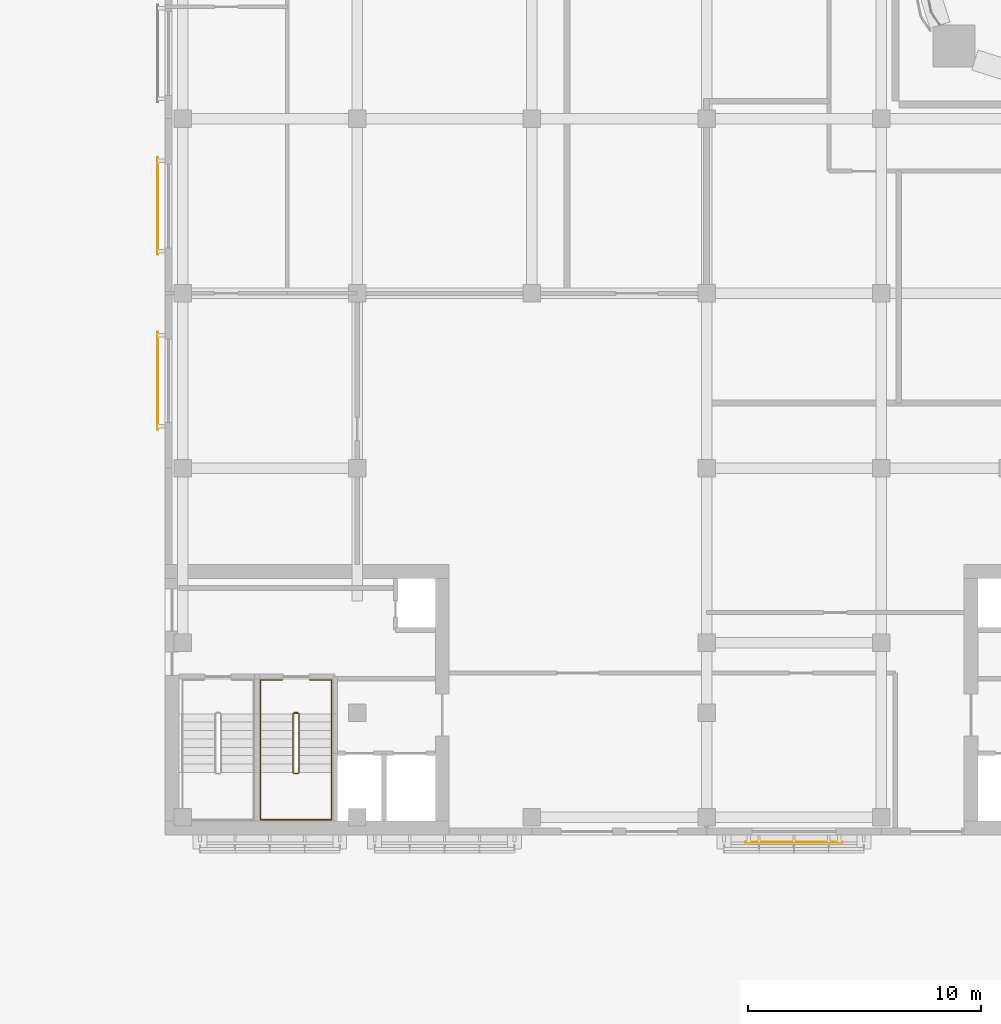
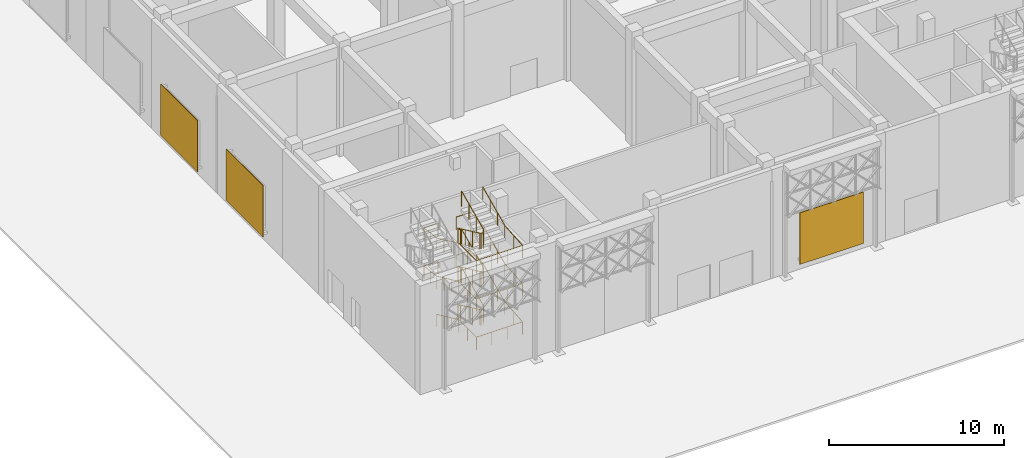
# One storey, part 47 of 64: 4 railings, 3 coverings.
"""IFC4 building model written with IfcOpenShell, lengths in metres."""

import ifcopenshell
import ifcopenshell.guid

model = None  # the IFC model being written
_history = None  # IfcOwnerHistory: only IFC2X3 demands one
_inside = {}  # id of a spatial element -> (the spatial element, [elements in it])
_under = {}  # id of a project, library or spatial element -> (it, [spatial elements below it])
_declared = {}  # id of a project -> (the project, [libraries it declares])
_typed = {}  # id of a type object -> (the type object, [elements of that type])
_made_of = {}  # id of a material, layer set ... -> (it, [elements and type objects made of it])


def new_model(schema):
    """Start an empty IFC model of exactly this schema.

    Asked for "IFC4X3", IfcOpenShell would pick the latest addendum, in which some entities
    have other attributes; the version numbers below select the first issue.
    IFC2X3 requires an IfcOwnerHistory on every rooted entity: one is made here for all.
    """
    global model, _history
    if schema == "IFC4X3":
        model = ifcopenshell.file(schema_version=(4, 3, 0, 0))
    else:
        model = ifcopenshell.file(schema=schema)
    _inside.clear()
    _under.clear()
    _declared.clear()
    _typed.clear()
    _made_of.clear()
    _history = None
    if model.schema == "IFC2X3":
        org = make("IfcOrganization", Name="unknown")
        user = make(
            "IfcPersonAndOrganization",
            ThePerson=make("IfcPerson", FamilyName="unknown"),
            TheOrganization=org,
        )
        app = make(
            "IfcApplication",
            ApplicationDeveloper=org,
            Version="unknown",
            ApplicationFullName="unknown",
            ApplicationIdentifier="unknown",
        )
        _history = make(
            "IfcOwnerHistory",
            OwningUser=user,
            OwningApplication=app,
            ChangeAction="ADDED",
            CreationDate=0,
        )
    return model


def make(cls, **values):
    """One entity of the class cls with the attributes given. An attribute that is None is left unset."""
    return model.create_entity(
        cls, **{name: value for name, value in values.items() if value is not None}
    )


def rooted(cls, **values):
    """An entity with a GlobalId (a new one), such as an element, a storey or a relation."""
    return make(cls, GlobalId=ifcopenshell.guid.new(), OwnerHistory=_history, **values)


def si_unit(unit_type, name, prefix=None):
    """IfcSIUnit, for example si_unit("LENGTHUNIT", "METRE", prefix="MILLI")."""
    return make("IfcSIUnit", UnitType=unit_type, Prefix=prefix, Name=name)


def assignment(units):
    """IfcUnitAssignment: the units of a project."""
    return None if units is None else make("IfcUnitAssignment", Units=units)


def point(xyz):
    """IfcCartesianPoint."""
    return None if xyz is None else make("IfcCartesianPoint", Coordinates=xyz)


def direction(xyz):
    """IfcDirection."""
    return None if xyz is None else make("IfcDirection", DirectionRatios=xyz)


def frame(location, z_axis=None, x_axis=None):
    """IfcAxis2Placement3D, a coordinate frame: its origin and axes. An axis left out is left unset."""
    return make(
        "IfcAxis2Placement3D",
        Location=point(location),
        Axis=direction(z_axis),
        RefDirection=direction(x_axis),
    )


def frame_2d(location, x_axis=None):
    """IfcAxis2Placement2D, a coordinate frame in the plane: its origin and x axis."""
    return make(
        "IfcAxis2Placement2D", Location=point(location), RefDirection=direction(x_axis)
    )


def origin():
    """The frame at (0, 0, 0) with its axes left unset."""
    return frame((0.0, 0.0, 0.0))


def origin_2d():
    """The frame at (0, 0) in the plane with its x axis left unset."""
    return frame_2d((0.0, 0.0))


def place(relative_to, where):
    """IfcLocalPlacement: puts the frame where relative to a parent placement (None: the world)."""
    return make(
        "IfcLocalPlacement", PlacementRelTo=relative_to, RelativePlacement=where
    )


def context(
    kind, dimensions, precision=None, world=None, true_north=None, identifier=None
):
    """IfcGeometricRepresentationContext, for example the 3D "Model" context."""
    return make(
        "IfcGeometricRepresentationContext",
        ContextIdentifier=identifier,
        ContextType=kind,
        CoordinateSpaceDimension=dimensions,
        Precision=precision,
        WorldCoordinateSystem=world,
        TrueNorth=true_north,
    )


def subcontext(parent, identifier, kind, view, scale=None):
    """IfcGeometricRepresentationSubContext, for example "Body" below "Model"."""
    return make(
        "IfcGeometricRepresentationSubContext",
        ContextIdentifier=identifier,
        ContextType=kind,
        ParentContext=parent,
        TargetScale=scale,
        TargetView=view,
    )


def project(units=None, contexts=None):
    """IfcProject with its units and contexts."""
    return rooted(
        "IfcProject",
        Name="project",
        RepresentationContexts=contexts,
        UnitsInContext=assignment(units),
    )


def spatial(cls, under=None, at=None, **own):
    """A site, building, storey or space (cls), placed at a placement, below another one or the project."""
    s = rooted(cls, ObjectPlacement=at, **own)
    if under is not None:
        _under.setdefault(under.id(), (under, []))[1].append(s)
    return s


def profile(cls, at=None, kind="AREA", **sizes):
    """A parametric profile (cls). Its sizes go by their IFC names, for example OverallWidth=200.0."""
    return make(cls, ProfileType=kind, Position=at, **sizes)


def rectangle(**sizes):
    """IfcRectangleProfileDef."""
    return profile("IfcRectangleProfileDef", **sizes)


def circle(**sizes):
    """IfcCircleProfileDef."""
    return profile("IfcCircleProfileDef", **sizes)


def extrude(swept, where, along, depth):
    """IfcExtrudedAreaSolid: the profile swept, set in the frame where, extruded along a direction by depth."""
    return make(
        "IfcExtrudedAreaSolid",
        SweptArea=swept,
        Position=where,
        ExtrudedDirection=direction(along),
        Depth=depth,
    )


def shape(context_of_items, identifier, shape_type, items):
    """IfcShapeRepresentation: the items that make up one representation, for example the "Body"."""
    return make(
        "IfcShapeRepresentation",
        ContextOfItems=context_of_items,
        RepresentationIdentifier=identifier,
        RepresentationType=shape_type,
        Items=items,
    )


def material(Name=None, Category=None):
    """IfcMaterial."""
    return make("IfcMaterial", Name=Name, Category=Category)


def layer(
    of_material, thickness, ventilated=None, Name=None, Category=None, Priority=None
):
    """IfcMaterialLayer: one layer of a wall or slab, of a material (None: an air gap)."""
    return make(
        "IfcMaterialLayer",
        Material=of_material,
        LayerThickness=thickness,
        IsVentilated=ventilated,
        Name=Name,
        Category=Category,
        Priority=Priority,
    )


def layer_set(layers, Name=None):
    """IfcMaterialLayerSet."""
    return make("IfcMaterialLayerSet", MaterialLayers=layers, LayerSetName=Name)


def made_of(thing, what):
    """Note that an element or type object is made of a material, layer set ...; save() writes the relation."""
    if what is not None:
        _made_of.setdefault(what.id(), (what, []))[1].append(thing)
    return thing


def type_object(cls, material=None, **own):
    """A type object (cls), such as IfcWallType, which elements share."""
    return made_of(rooted(cls, **own), material)


def element(
    cls,
    number,
    at=None,
    inside=None,
    cuts=None,
    type_object=None,
    material=None,
    context=None,
    identifier="Body",
    shape_type=None,
    held_by="IfcProductDefinitionShape",
    body=None,
    shapes=None,
    **own,
):
    """One element of the class cls, such as IfcWall. Its Tag is "e" and its number.

    at: its placement. inside: the storey or other place that contains it. cuts: it is an
    opening in that element (IfcRelVoidsElement). A single representation is given by context,
    identifier, shape_type and body (its items); several are given by shapes. held_by: the class
    of the entity that holds the representations. save() writes the other relations.
    """
    e = rooted(cls, Tag="e%d" % number, ObjectPlacement=at, **own)
    if body is not None:
        shapes = [shape(context, identifier, shape_type, body)]
    if shapes is not None:
        e.Representation = make(held_by, Representations=shapes)
    if inside is not None:
        _inside.setdefault(inside.id(), (inside, []))[1].append(e)
    if cuts is not None:
        rooted(
            "IfcRelVoidsElement", RelatingBuildingElement=cuts, RelatedOpeningElement=e
        )
    if type_object is not None:
        _typed.setdefault(type_object.id(), (type_object, []))[1].append(e)
    return made_of(e, material)


def aggregate(whole, parts):
    """IfcRelAggregates: a whole, such as a stair, and the parts it consists of."""
    return rooted("IfcRelAggregates", RelatingObject=whole, RelatedObjects=parts)


def save(model, path):
    """Write the relations noted so far, then the file.

    IfcRelAggregates (storeys below a building ...), IfcRelContainedInSpatialStructure (elements
    in a storey), IfcRelDefinesByType, IfcRelAssociatesMaterial and IfcRelDeclares: one each for
    every whole, place, type object, material and project.
    """
    for whole, parts in _under.values():
        aggregate(whole, parts)
    for where, things in _inside.values():
        rooted(
            "IfcRelContainedInSpatialStructure",
            RelatedElements=things,
            RelatingStructure=where,
        )
    for kind, things in _typed.values():
        rooted("IfcRelDefinesByType", RelatedObjects=things, RelatingType=kind)
    for what, things in _made_of.values():
        rooted("IfcRelAssociatesMaterial", RelatedObjects=things, RelatingMaterial=what)
    for by, libraries in _declared.values():
        rooted("IfcRelDeclares", RelatingContext=by, RelatedDefinitions=libraries)
    model.write(path)


model = new_model("IFC4")

# Units and contexts
model_context = context("Model", 3, precision=1e-05, world=origin(), true_north=direction((0.0, 1.0)))
body_context = subcontext(model_context, "Body", "Model", "MODEL_VIEW")
ifc_project = project(units=[si_unit("LENGTHUNIT", "METRE"), si_unit("AREAUNIT", "SQUARE_METRE"), si_unit("VOLUMEUNIT", "CUBIC_METRE"), si_unit("PLANEANGLEUNIT", "RADIAN"), si_unit("MASSUNIT", "GRAM", prefix="KILO")], contexts=[model_context])

# Site, building, storey
site_placement = place(None, origin())
site = spatial("IfcSite", under=ifc_project, at=site_placement, CompositionType="ELEMENT")
building_placement = place(site_placement, origin())
building = spatial("IfcBuilding", under=site, at=building_placement, Name="Tessera Arch", CompositionType="ELEMENT")
storey_placement = place(building_placement, origin())
storey = spatial("IfcBuildingStorey", under=building, at=storey_placement, Name="L00", CompositionType="ELEMENT", Elevation=0.0)

# Coverings
ifc_material_1 = material(Name="Anodised aluminium pale metal", Category="aluminium")
ifc_layer = layer(ifc_material_1, 0.0400390625)
ifc_layer_set = layer_set([ifc_layer], Name="Museum screen panel")
covering_type = type_object("IfcCoveringType", Name="Museum screen panel", PredefinedType="CLADDING", material=ifc_layer_set)
for number, where, z_axis, x_axis, name in (
    (1, (-5.550048828125, -32.8701171875, 0.599853515625), (0.0, 0.0, 1.0), (1.0, 0.0, 0.0), "Screen panel museum L00 1-5"),
    (2, (-32.8701171875, -5.550048828125, 0.599853515625), (0.0, 0.0, 1.0), (0.0, -1.0, 0.0), "Screen panel museum L00 6-10"),
    (3, (-32.8701171875, -13.050048828125, 0.599853515625), (0.0, 0.0, 1.0), (0.0, -1.0, 0.0), "Screen panel museum L00 6-11"),
):
    element("IfcCovering", number, at=place(storey_placement, frame(where, z_axis=z_axis, x_axis=x_axis)), inside=storey, type_object=covering_type, Name=name, PredefinedType="CLADDING", context=body_context, shape_type="SweptSolid", body=[
        extrude(rectangle(XDim=4.199951171875, YDim=0.0400390625, at=origin_2d()), origin(), (0.0, 0.0, 1.0), 3.60009765625),
    ])

# Railings
ifc_material_2 = material(Name="Painted steel balustrade", Category="steel")
railing_type_1 = type_object("IfcRailingType", Name="Stair guard 1100", PredefinedType="GUARDRAIL", material=ifc_material_2)
railing_1_placement = place(storey_placement, frame((-27.0, -27.300048828125, 0.0)))
element("IfcRailing", 4, at=railing_1_placement, inside=storey, type_object=railing_type_1, Name="L00 M2b stair guard 1", PredefinedType="GUARDRAIL", context=body_context, shape_type="SweptSolid", body=[
    extrude(circle(Radius=0.02392578125, at=origin_2d()), frame((-0.00390625, 0.0, 1.076171875), z_axis=(1.0, 0.0, 0.0), x_axis=(0.0, 1.0, 0.0)), (0.0, 0.0, 1.0), 0.157958984375),
    extrude(circle(Radius=0.02392578125, at=origin_2d()), frame((0.15283203125, 0.000732421875, 1.073486328125), z_axis=(-0.754182335027, -0.188775798145, 0.628945707965), x_axis=(0.242814311512, -0.970072785993, 0.0)), (0.0, 0.0, 1.0), 0.273193359375),
    extrude(circle(Radius=0.02392578125, at=origin_2d()), frame((-0.050048828125, -0.04638671875, 1.2412109375), z_axis=(0.0, -0.907490492863, 0.420072619153), x_axis=(1.0, 0.0, 0.0)), (0.0, 0.0, 1.0), 2.784912109375),
    extrude(circle(Radius=0.02392578125, at=origin_2d()), frame((-0.052978515625, -2.567138671875, 2.4091796875), z_axis=(0.708833529934, -0.705375805398, 0.0), x_axis=(0.705375805398, 0.708833529934, 0.0)), (0.0, 0.0, 1.0), 0.07861328125),
    extrude(circle(Radius=0.02392578125, at=origin_2d()), frame((-0.00390625, -2.619873046875, 2.4091796875), z_axis=(1.0, 0.0, 0.0), x_axis=(0.0, 1.0, 0.0)), (0.0, 0.0, 1.0), 0.157958984375),
    extrude(circle(Radius=0.02392578125, at=origin_2d()), frame((0.148681640625, -2.62109375, 2.405517578125), z_axis=(0.276389281352, 0.275041040955, 0.920848191041), x_axis=(-0.705375805398, 0.708833529934, 0.0)), (0.0, 0.0, 1.0), 0.18896484375),
    extrude(circle(Radius=0.02392578125, at=origin_2d()), frame((0.199951171875, -2.57373046875, 2.574462890625), z_axis=(0.0, 0.907456975791, 0.420145019115), x_axis=(-1.0, 0.0, 0.0)), (0.0, 0.0, 1.0), 2.784912109375),
    extrude(circle(Radius=0.02392578125, at=origin_2d()), frame((0.203857421875, -0.051025390625, 3.74267578125), z_axis=(-0.970072785993, 0.242814311512, 0.0), x_axis=(-0.242814311512, -0.970072785993, 0.0)), (0.0, 0.0, 1.0), 0.214111328125),
    extrude(circle(Radius=0.02392578125, at=origin_2d()), frame((-0.00390625, 0.0, 3.74267578125), z_axis=(1.0, 0.0, 0.0), x_axis=(0.0, 1.0, 0.0)), (0.0, 0.0, 1.0), 0.157958984375),
    extrude(circle(Radius=0.02392578125, at=origin_2d()), frame((0.15283203125, 0.000732421875, 3.740234375), z_axis=(-0.754619193878, -0.188885146209, 0.628388632753), x_axis=(0.242814311512, -0.970072785993, 0.0)), (0.0, 0.0, 1.0), 0.27294921875),
    extrude(circle(Radius=0.02392578125, at=origin_2d()), frame((-0.050048828125, -0.04638671875, 3.90771484375), z_axis=(0.0, -0.907456975791, 0.420145019115), x_axis=(1.0, 0.0, 0.0)), (0.0, 0.0, 1.0), 2.784912109375),
    extrude(circle(Radius=0.02392578125, at=origin_2d()), frame((-0.052978515625, -2.567138671875, 5.076171875), z_axis=(0.708833529934, -0.705375805398, 0.0), x_axis=(0.705375805398, 0.708833529934, 0.0)), (0.0, 0.0, 1.0), 0.07861328125),
    extrude(circle(Radius=0.02392578125, at=origin_2d()), frame((-0.00390625, -2.619873046875, 5.076171875), z_axis=(1.0, 0.0, 0.0), x_axis=(0.0, 1.0, 0.0)), (0.0, 0.0, 1.0), 0.157958984375),
    extrude(circle(Radius=0.02392578125, at=origin_2d()), frame((0.148681640625, -2.62109375, 5.072265625), z_axis=(0.276389281352, 0.275041040955, 0.920848191041), x_axis=(-0.705375805398, 0.708833529934, 0.0)), (0.0, 0.0, 1.0), 0.18896484375),
    extrude(circle(Radius=0.02392578125, at=origin_2d()), frame((0.199951171875, -2.57373046875, 5.2412109375), z_axis=(0.0, 0.907490492863, 0.420072619153), x_axis=(-1.0, 0.0, 0.0)), (0.0, 0.0, 1.0), 2.784912109375),
    extrude(circle(Radius=0.02392578125, at=origin_2d()), frame((0.203857421875, -0.051025390625, 6.4091796875), z_axis=(-0.970072785993, 0.242814311512, 0.0), x_axis=(-0.242814311512, -0.970072785993, 0.0)), (0.0, 0.0, 1.0), 0.214111328125),
    extrude(circle(Radius=0.02392578125, at=origin_2d()), frame((-0.00390625, 0.0, 6.4091796875), z_axis=(1.0, 0.0, 0.0), x_axis=(0.0, 1.0, 0.0)), (0.0, 0.0, 1.0), 0.157958984375),
    extrude(circle(Radius=0.02392578125, at=origin_2d()), frame((0.15283203125, 0.000732421875, 6.40673828125), z_axis=(-0.754182335027, -0.188775798145, 0.628945707965), x_axis=(0.242814311512, -0.970072785993, 0.0)), (0.0, 0.0, 1.0), 0.273193359375),
    extrude(circle(Radius=0.02392578125, at=origin_2d()), frame((-0.050048828125, -0.04638671875, 6.574462890625), z_axis=(0.0, -0.907456975791, 0.420145019115), x_axis=(1.0, 0.0, 0.0)), (0.0, 0.0, 1.0), 2.784912109375),
    extrude(circle(Radius=0.02392578125, at=origin_2d()), frame((-0.052978515625, -2.567138671875, 7.74267578125), z_axis=(0.708833529934, -0.705375805398, 0.0), x_axis=(0.705375805398, 0.708833529934, 0.0)), (0.0, 0.0, 1.0), 0.07861328125),
    extrude(circle(Radius=0.02392578125, at=origin_2d()), frame((-0.00390625, -2.619873046875, 7.74267578125), z_axis=(1.0, 0.0, 0.0), x_axis=(0.0, 1.0, 0.0)), (0.0, 0.0, 1.0), 0.157958984375),
    extrude(circle(Radius=0.02392578125, at=origin_2d()), frame((0.148681640625, -2.62109375, 7.739013671875), z_axis=(0.276732813696, 0.275382897532, 0.920642824102), x_axis=(-0.705375805398, 0.708833529934, 0.0)), (0.0, 0.0, 1.0), 0.18896484375),
    extrude(circle(Radius=0.02392578125, at=origin_2d()), frame((0.199951171875, -2.57373046875, 7.90771484375), z_axis=(0.0, 0.907456975791, 0.420145019115), x_axis=(-1.0, 0.0, 0.0)), (0.0, 0.0, 1.0), 2.784912109375),
    extrude(circle(Radius=0.02099609375, at=origin_2d()), origin(), (0.0, 0.0, 1.0), 1.06396484375),
    extrude(circle(Radius=0.02099609375, at=origin_2d()), frame((0.14990234375, 0.0, 0.0)), (0.0, 0.0, 1.0), 1.06396484375),
    extrude(circle(Radius=0.02099609375, at=origin_2d()), frame((-0.050048828125, -0.050048828125, 0.166748046875)), (0.0, 0.0, 1.0), 1.06396484375),
    extrude(circle(Radius=0.02099609375, at=origin_2d()), frame((-0.050048828125, -0.89013671875, 0.5556640625)), (0.0, 0.0, 1.0), 1.06396484375),
    extrude(circle(Radius=0.02099609375, at=origin_2d()), frame((-0.050048828125, -1.72998046875, 0.9443359375)), (0.0, 0.0, 1.0), 1.06396484375),
    extrude(circle(Radius=0.02099609375, at=origin_2d()), frame((-0.050048828125, -2.570068359375, 1.333251953125)), (0.0, 0.0, 1.0), 1.06396484375),
    extrude(circle(Radius=0.02099609375, at=origin_2d()), frame((0.0, -2.619873046875, 1.333251953125)), (0.0, 0.0, 1.0), 1.06396484375),
    extrude(circle(Radius=0.02099609375, at=origin_2d()), frame((0.14990234375, -2.619873046875, 1.333251953125)), (0.0, 0.0, 1.0), 1.06396484375),
    extrude(circle(Radius=0.02099609375, at=origin_2d()), frame((0.199951171875, -2.570068359375, 1.5)), (0.0, 0.0, 1.0), 1.06396484375),
    extrude(circle(Radius=0.02099609375, at=origin_2d()), frame((0.199951171875, -1.72998046875, 1.888916015625)), (0.0, 0.0, 1.0), 1.06396484375),
    extrude(circle(Radius=0.02099609375, at=origin_2d()), frame((0.199951171875, -0.89013671875, 2.27783203125)), (0.0, 0.0, 1.0), 1.06396484375),
    extrude(circle(Radius=0.02099609375, at=origin_2d()), frame((0.199951171875, -0.050048828125, 2.666748046875)), (0.0, 0.0, 1.0), 1.06396484375),
    extrude(circle(Radius=0.02099609375, at=origin_2d()), frame((0.0, 0.0, 2.666748046875)), (0.0, 0.0, 1.0), 1.06396484375),
    extrude(circle(Radius=0.02099609375, at=origin_2d()), frame((0.14990234375, 0.0, 2.666748046875)), (0.0, 0.0, 1.0), 1.06396484375),
    extrude(circle(Radius=0.02099609375, at=origin_2d()), frame((-0.050048828125, -0.050048828125, 2.833251953125)), (0.0, 0.0, 1.0), 1.06396484375),
    extrude(circle(Radius=0.02099609375, at=origin_2d()), frame((-0.050048828125, -0.89013671875, 3.22216796875)), (0.0, 0.0, 1.0), 1.06396484375),
    extrude(circle(Radius=0.02099609375, at=origin_2d()), frame((-0.050048828125, -1.72998046875, 3.611083984375)), (0.0, 0.0, 1.0), 1.06396484375),
    extrude(circle(Radius=0.02099609375, at=origin_2d()), frame((-0.050048828125, -2.570068359375, 4.0)), (0.0, 0.0, 1.0), 1.06396484375),
    extrude(circle(Radius=0.02099609375, at=origin_2d()), frame((0.0, -2.619873046875, 4.0)), (0.0, 0.0, 1.0), 1.06396484375),
    extrude(circle(Radius=0.02099609375, at=origin_2d()), frame((0.14990234375, -2.619873046875, 4.0)), (0.0, 0.0, 1.0), 1.06396484375),
    extrude(circle(Radius=0.02099609375, at=origin_2d()), frame((0.199951171875, -2.570068359375, 4.166748046875)), (0.0, 0.0, 1.0), 1.06396484375),
    extrude(circle(Radius=0.02099609375, at=origin_2d()), frame((0.199951171875, -1.72998046875, 4.5556640625)), (0.0, 0.0, 1.0), 1.06396484375),
    extrude(circle(Radius=0.02099609375, at=origin_2d()), frame((0.199951171875, -0.89013671875, 4.9443359375)), (0.0, 0.0, 1.0), 1.06396484375),
    extrude(circle(Radius=0.02099609375, at=origin_2d()), frame((0.199951171875, -0.050048828125, 5.333251953125)), (0.0, 0.0, 1.0), 1.06396484375),
    extrude(circle(Radius=0.02099609375, at=origin_2d()), frame((0.0, 0.0, 5.333251953125)), (0.0, 0.0, 1.0), 1.06396484375),
    extrude(circle(Radius=0.02099609375, at=origin_2d()), frame((0.14990234375, 0.0, 5.333251953125)), (0.0, 0.0, 1.0), 1.06396484375),
    extrude(circle(Radius=0.02099609375, at=origin_2d()), frame((-0.050048828125, -0.050048828125, 5.5)), (0.0, 0.0, 1.0), 1.06396484375),
    extrude(circle(Radius=0.02099609375, at=origin_2d()), frame((-0.050048828125, -0.89013671875, 5.888916015625)), (0.0, 0.0, 1.0), 1.06396484375),
    extrude(circle(Radius=0.02099609375, at=origin_2d()), frame((-0.050048828125, -1.72998046875, 6.27783203125)), (0.0, 0.0, 1.0), 1.06396484375),
    extrude(circle(Radius=0.02099609375, at=origin_2d()), frame((-0.050048828125, -2.570068359375, 6.666748046875)), (0.0, 0.0, 1.0), 1.06396484375),
    extrude(circle(Radius=0.02099609375, at=origin_2d()), frame((0.0, -2.619873046875, 6.666748046875)), (0.0, 0.0, 1.0), 1.06396484375),
    extrude(circle(Radius=0.02099609375, at=origin_2d()), frame((0.14990234375, -2.619873046875, 6.666748046875)), (0.0, 0.0, 1.0), 1.06396484375),
    extrude(circle(Radius=0.02099609375, at=origin_2d()), frame((0.199951171875, -2.570068359375, 6.833251953125)), (0.0, 0.0, 1.0), 1.06396484375),
    extrude(circle(Radius=0.02099609375, at=origin_2d()), frame((0.199951171875, -1.72998046875, 7.22216796875)), (0.0, 0.0, 1.0), 1.06396484375),
    extrude(circle(Radius=0.02099609375, at=origin_2d()), frame((0.199951171875, -0.89013671875, 7.611083984375)), (0.0, 0.0, 1.0), 1.06396484375),
    extrude(circle(Radius=0.02099609375, at=origin_2d()), frame((0.199951171875, -0.050048828125, 8.0)), (0.0, 0.0, 1.0), 1.06396484375),
])
ifc_material_3 = material(Name="Painted steel handrail", Category="steel")
railing_type_2 = type_object("IfcRailingType", Name="Stair handrail 900", PredefinedType="HANDRAIL", material=ifc_material_3)
railing_2_placement = place(storey_placement, frame((-28.449951171875, -27.35009765625, 0.166748046875)))
element("IfcRailing", 5, at=railing_2_placement, inside=storey, type_object=railing_type_2, Name="L00 M2b stair handrail", PredefinedType="HANDRAIL", context=body_context, shape_type="SweptSolid", body=[
    extrude(circle(Radius=0.02392578125, at=origin_2d()), frame((0.0, 0.003662109375, 0.874267578125), z_axis=(0.0, -0.907490492863, 0.420072619153), x_axis=(1.0, 0.0, 0.0)), (0.0, 0.0, 1.0), 2.784912109375),
    extrude(circle(Radius=0.02392578125, at=origin_2d()), frame((0.0, -2.51611328125, 2.04248046875), z_axis=(0.0, -1.0, 0.0), x_axis=(1.0, 0.0, 0.0)), (0.0, 0.0, 1.0), 2.037841796875),
    extrude(circle(Radius=0.02392578125, at=origin_2d()), frame((-0.00390625, -4.5498046875, 2.04248046875), z_axis=(1.0, 0.0, 0.0), x_axis=(0.0, 1.0, 0.0)), (0.0, 0.0, 1.0), 3.05810546875),
    extrude(circle(Radius=0.02392578125, at=origin_2d()), frame((3.050048828125, -4.5537109375, 2.0419921875), z_axis=(0.0, 0.996642624298, 0.081874778975), x_axis=(-1.0, 0.0, 0.0)), (0.0, 0.0, 1.0), 2.044677734375),
    extrude(circle(Radius=0.02392578125, at=origin_2d()), frame((3.050048828125, -2.523681640625, 2.20751953125), z_axis=(0.0, 0.907456975791, 0.420145019115), x_axis=(-1.0, 0.0, 0.0)), (0.0, 0.0, 1.0), 2.784912109375),
    extrude(circle(Radius=0.02392578125, at=origin_2d()), frame((3.050048828125, -0.00390625, 3.3759765625), z_axis=(0.0, 1.0, 0.0), x_axis=(-1.0, 0.0, 0.0)), (0.0, 0.0, 1.0), 1.458251953125),
    extrude(circle(Radius=0.02392578125, at=origin_2d()), frame((3.053955078125, 1.4501953125, 3.3759765625), z_axis=(-1.0, 0.0, 0.0), x_axis=(0.0, -1.0, 0.0)), (0.0, 0.0, 1.0), 0.93310546875),
    extrude(circle(Radius=0.02099609375, at=origin_2d()), origin(), (0.0, 0.0, 1.0), 0.86376953125),
    extrude(circle(Radius=0.02099609375, at=origin_2d()), frame((0.0, -0.840087890625, 0.388916015625)), (0.0, 0.0, 1.0), 0.86376953125),
    extrude(circle(Radius=0.02099609375, at=origin_2d()), frame((0.0, -1.679931640625, 0.777587890625)), (0.0, 0.0, 1.0), 0.86376953125),
    extrude(circle(Radius=0.02099609375, at=origin_2d()), frame((0.0, -2.52001953125, 1.16650390625)), (0.0, 0.0, 1.0), 0.86376953125),
    extrude(circle(Radius=0.02099609375, at=origin_2d()), frame((0.0, -3.534912109375, 1.16650390625)), (0.0, 0.0, 1.0), 0.86376953125),
    extrude(circle(Radius=0.02099609375, at=origin_2d()), frame((0.0, -4.5498046875, 1.16650390625)), (0.0, 0.0, 1.0), 0.86376953125),
    extrude(circle(Radius=0.02099609375, at=origin_2d()), frame((1.0166015625, -4.5498046875, 1.16650390625)), (0.0, 0.0, 1.0), 0.86376953125),
    extrude(circle(Radius=0.02099609375, at=origin_2d()), frame((2.033447265625, -4.5498046875, 1.16650390625)), (0.0, 0.0, 1.0), 0.86376953125),
    extrude(circle(Radius=0.02099609375, at=origin_2d()), frame((3.050048828125, -4.5498046875, 1.16650390625)), (0.0, 0.0, 1.0), 0.86376953125),
    extrude(circle(Radius=0.02099609375, at=origin_2d()), frame((3.050048828125, -3.534912109375, 1.25)), (0.0, 0.0, 1.0), 0.86376953125),
    extrude(circle(Radius=0.02099609375, at=origin_2d()), frame((3.050048828125, -2.52001953125, 1.333251953125)), (0.0, 0.0, 1.0), 0.86376953125),
    extrude(circle(Radius=0.02099609375, at=origin_2d()), frame((3.050048828125, -1.679931640625, 1.72216796875)), (0.0, 0.0, 1.0), 0.86376953125),
    extrude(circle(Radius=0.02099609375, at=origin_2d()), frame((3.050048828125, -0.840087890625, 2.111083984375)), (0.0, 0.0, 1.0), 0.86376953125),
    extrude(circle(Radius=0.02099609375, at=origin_2d()), frame((3.050048828125, 0.0, 2.5)), (0.0, 0.0, 1.0), 0.86376953125),
    extrude(circle(Radius=0.02099609375, at=origin_2d()), frame((3.050048828125, 0.72509765625, 2.5)), (0.0, 0.0, 1.0), 0.86376953125),
    extrude(circle(Radius=0.02099609375, at=origin_2d()), frame((3.050048828125, 1.4501953125, 2.5)), (0.0, 0.0, 1.0), 0.86376953125),
    extrude(circle(Radius=0.02099609375, at=origin_2d()), frame((2.125, 1.4501953125, 2.5)), (0.0, 0.0, 1.0), 0.86376953125),
])
railing_3_placement = place(storey_placement, frame((-27.52490234375, -25.89990234375, 2.666748046875)))
element("IfcRailing", 6, at=railing_3_placement, inside=storey, type_object=railing_type_2, Name="L00 M2b stair handrail 2", PredefinedType="HANDRAIL", context=body_context, shape_type="SweptSolid", body=[
    extrude(circle(Radius=0.02392578125, at=origin_2d()), frame((0.00390625, 0.0, 0.8759765625), z_axis=(-1.0, 0.0, 0.0), x_axis=(0.0, -1.0, 0.0)), (0.0, 0.0, 1.0), 0.93310546875),
    extrude(circle(Radius=0.02392578125, at=origin_2d()), frame((-0.925048828125, 0.00390625, 0.87548828125), z_axis=(0.0, -0.993473237723, 0.114065445813), x_axis=(1.0, 0.0, 0.0)), (0.0, 0.0, 1.0), 1.4677734375),
    extrude(circle(Radius=0.02392578125, at=origin_2d()), frame((-0.925048828125, -1.446533203125, 1.040771484375), z_axis=(0.0, -0.907456975791, 0.420145019115), x_axis=(1.0, 0.0, 0.0)), (0.0, 0.0, 1.0), 2.784912109375),
    extrude(circle(Radius=0.02392578125, at=origin_2d()), frame((-0.925048828125, -3.96630859375, 2.208984375), z_axis=(0.0, -1.0, 0.0), x_axis=(1.0, 0.0, 0.0)), (0.0, 0.0, 1.0), 2.037841796875),
    extrude(circle(Radius=0.02392578125, at=origin_2d()), frame((-0.928955078125, -6.0, 2.208984375), z_axis=(1.0, 0.0, 0.0), x_axis=(0.0, 1.0, 0.0)), (0.0, 0.0, 1.0), 3.05810546875),
    extrude(circle(Radius=0.02392578125, at=origin_2d()), frame((2.125, -6.00390625, 2.208740234375), z_axis=(0.0, 0.996642624298, 0.081874778975), x_axis=(-1.0, 0.0, 0.0)), (0.0, 0.0, 1.0), 2.044677734375),
    extrude(circle(Radius=0.02392578125, at=origin_2d()), frame((2.125, -3.973876953125, 2.374267578125), z_axis=(0.0, 0.907490492863, 0.420072619153), x_axis=(-1.0, 0.0, 0.0)), (0.0, 0.0, 1.0), 2.784912109375),
    extrude(circle(Radius=0.02392578125, at=origin_2d()), frame((2.125, -1.4541015625, 3.54248046875), z_axis=(0.0, 1.0, 0.0), x_axis=(-1.0, 0.0, 0.0)), (0.0, 0.0, 1.0), 1.458251953125),
    extrude(circle(Radius=0.02392578125, at=origin_2d()), frame((2.12890625, 0.0, 3.54248046875), z_axis=(-1.0, 0.0, 0.0), x_axis=(0.0, -1.0, 0.0)), (0.0, 0.0, 1.0), 0.93310546875),
    extrude(circle(Radius=0.02099609375, at=origin_2d()), origin(), (0.0, 0.0, 1.0), 0.86376953125),
    extrude(circle(Radius=0.02099609375, at=origin_2d()), frame((-0.925048828125, 0.0, 0.0)), (0.0, 0.0, 1.0), 0.86376953125),
    extrude(circle(Radius=0.02099609375, at=origin_2d()), frame((-0.925048828125, -0.72509765625, 0.083251953125)), (0.0, 0.0, 1.0), 0.86376953125),
    extrude(circle(Radius=0.02099609375, at=origin_2d()), frame((-0.925048828125, -1.4501953125, 0.16650390625)), (0.0, 0.0, 1.0), 0.86376953125),
    extrude(circle(Radius=0.02099609375, at=origin_2d()), frame((-0.925048828125, -2.290283203125, 0.555419921875)), (0.0, 0.0, 1.0), 0.86376953125),
    extrude(circle(Radius=0.02099609375, at=origin_2d()), frame((-0.925048828125, -3.130126953125, 0.9443359375)), (0.0, 0.0, 1.0), 0.86376953125),
    extrude(circle(Radius=0.02099609375, at=origin_2d()), frame((-0.925048828125, -3.97021484375, 1.333251953125)), (0.0, 0.0, 1.0), 0.86376953125),
    extrude(circle(Radius=0.02099609375, at=origin_2d()), frame((-0.925048828125, -4.985107421875, 1.333251953125)), (0.0, 0.0, 1.0), 0.86376953125),
    extrude(circle(Radius=0.02099609375, at=origin_2d()), frame((-0.925048828125, -6.0, 1.333251953125)), (0.0, 0.0, 1.0), 0.86376953125),
    extrude(circle(Radius=0.02099609375, at=origin_2d()), frame((0.091552734375, -6.0, 1.333251953125)), (0.0, 0.0, 1.0), 0.86376953125),
    extrude(circle(Radius=0.02099609375, at=origin_2d()), frame((1.1083984375, -6.0, 1.333251953125)), (0.0, 0.0, 1.0), 0.86376953125),
    extrude(circle(Radius=0.02099609375, at=origin_2d()), frame((2.125, -6.0, 1.333251953125)), (0.0, 0.0, 1.0), 0.86376953125),
    extrude(circle(Radius=0.02099609375, at=origin_2d()), frame((2.125, -4.985107421875, 1.41650390625)), (0.0, 0.0, 1.0), 0.86376953125),
    extrude(circle(Radius=0.02099609375, at=origin_2d()), frame((2.125, -3.97021484375, 1.5)), (0.0, 0.0, 1.0), 0.86376953125),
    extrude(circle(Radius=0.02099609375, at=origin_2d()), frame((2.125, -3.130126953125, 1.888916015625)), (0.0, 0.0, 1.0), 0.86376953125),
    extrude(circle(Radius=0.02099609375, at=origin_2d()), frame((2.125, -2.290283203125, 2.277587890625)), (0.0, 0.0, 1.0), 0.86376953125),
    extrude(circle(Radius=0.02099609375, at=origin_2d()), frame((2.125, -1.4501953125, 2.66650390625)), (0.0, 0.0, 1.0), 0.86376953125),
    extrude(circle(Radius=0.02099609375, at=origin_2d()), frame((2.125, -0.72509765625, 2.66650390625)), (0.0, 0.0, 1.0), 0.86376953125),
    extrude(circle(Radius=0.02099609375, at=origin_2d()), frame((2.125, 0.0, 2.66650390625)), (0.0, 0.0, 1.0), 0.86376953125),
    extrude(circle(Radius=0.02099609375, at=origin_2d()), frame((1.199951171875, 0.0, 2.66650390625)), (0.0, 0.0, 1.0), 0.86376953125),
])
railing_4_placement = place(storey_placement, frame((-27.52490234375, -25.89990234375, 5.333251953125)))
element("IfcRailing", 7, at=railing_4_placement, inside=storey, type_object=railing_type_2, Name="L00 M2b stair handrail 3", PredefinedType="HANDRAIL", context=body_context, shape_type="SweptSolid", body=[
    extrude(circle(Radius=0.02392578125, at=origin_2d()), frame((0.00390625, 0.0, 0.8759765625), z_axis=(-1.0, 0.0, 0.0), x_axis=(0.0, -1.0, 0.0)), (0.0, 0.0, 1.0), 0.93310546875),
    extrude(circle(Radius=0.02392578125, at=origin_2d()), frame((-0.925048828125, 0.00390625, 0.87548828125), z_axis=(0.0, -0.993454271282, 0.114230516378), x_axis=(1.0, 0.0, 0.0)), (0.0, 0.0, 1.0), 1.4677734375),
    extrude(circle(Radius=0.02392578125, at=origin_2d()), frame((-0.925048828125, -1.446533203125, 1.041015625), z_axis=(0.0, -0.907456975791, 0.420145019115), x_axis=(1.0, 0.0, 0.0)), (0.0, 0.0, 1.0), 2.784912109375),
    extrude(circle(Radius=0.02392578125, at=origin_2d()), frame((-0.925048828125, -3.96630859375, 2.20947265625), z_axis=(0.0, -1.0, 0.0), x_axis=(1.0, 0.0, 0.0)), (0.0, 0.0, 1.0), 2.037841796875),
    extrude(circle(Radius=0.02392578125, at=origin_2d()), frame((-0.928955078125, -6.0, 2.20947265625), z_axis=(1.0, 0.0, 0.0), x_axis=(0.0, 1.0, 0.0)), (0.0, 0.0, 1.0), 3.05810546875),
    extrude(circle(Radius=0.02392578125, at=origin_2d()), frame((2.125, -6.00390625, 2.208984375), z_axis=(0.0, 0.996652399087, 0.081755705578), x_axis=(-1.0, 0.0, 0.0)), (0.0, 0.0, 1.0), 2.044677734375),
    extrude(circle(Radius=0.02392578125, at=origin_2d()), frame((2.125, -3.973876953125, 2.374267578125), z_axis=(0.0, 0.907456975791, 0.420145019115), x_axis=(-1.0, 0.0, 0.0)), (0.0, 0.0, 1.0), 2.784912109375),
    extrude(circle(Radius=0.02099609375, at=origin_2d()), origin(), (0.0, 0.0, 1.0), 0.86376953125),
    extrude(circle(Radius=0.02099609375, at=origin_2d()), frame((-0.925048828125, 0.0, 0.0)), (0.0, 0.0, 1.0), 0.86376953125),
    extrude(circle(Radius=0.02099609375, at=origin_2d()), frame((-0.925048828125, -0.72509765625, 0.08349609375)), (0.0, 0.0, 1.0), 0.86376953125),
    extrude(circle(Radius=0.02099609375, at=origin_2d()), frame((-0.925048828125, -1.4501953125, 0.166748046875)), (0.0, 0.0, 1.0), 0.86376953125),
    extrude(circle(Radius=0.02099609375, at=origin_2d()), frame((-0.925048828125, -2.290283203125, 0.5556640625)), (0.0, 0.0, 1.0), 0.86376953125),
    extrude(circle(Radius=0.02099609375, at=origin_2d()), frame((-0.925048828125, -3.130126953125, 0.944580078125)), (0.0, 0.0, 1.0), 0.86376953125),
    extrude(circle(Radius=0.02099609375, at=origin_2d()), frame((-0.925048828125, -3.97021484375, 1.33349609375)), (0.0, 0.0, 1.0), 0.86376953125),
    extrude(circle(Radius=0.02099609375, at=origin_2d()), frame((-0.925048828125, -4.985107421875, 1.33349609375)), (0.0, 0.0, 1.0), 0.86376953125),
    extrude(circle(Radius=0.02099609375, at=origin_2d()), frame((-0.925048828125, -6.0, 1.33349609375)), (0.0, 0.0, 1.0), 0.86376953125),
    extrude(circle(Radius=0.02099609375, at=origin_2d()), frame((0.091552734375, -6.0, 1.33349609375)), (0.0, 0.0, 1.0), 0.86376953125),
    extrude(circle(Radius=0.02099609375, at=origin_2d()), frame((1.1083984375, -6.0, 1.33349609375)), (0.0, 0.0, 1.0), 0.86376953125),
    extrude(circle(Radius=0.02099609375, at=origin_2d()), frame((2.125, -6.0, 1.33349609375)), (0.0, 0.0, 1.0), 0.86376953125),
    extrude(circle(Radius=0.02099609375, at=origin_2d()), frame((2.125, -4.985107421875, 1.416748046875)), (0.0, 0.0, 1.0), 0.86376953125),
    extrude(circle(Radius=0.02099609375, at=origin_2d()), frame((2.125, -3.97021484375, 1.5)), (0.0, 0.0, 1.0), 0.86376953125),
    extrude(circle(Radius=0.02099609375, at=origin_2d()), frame((2.125, -3.130126953125, 1.888916015625)), (0.0, 0.0, 1.0), 0.86376953125),
    extrude(circle(Radius=0.02099609375, at=origin_2d()), frame((2.125, -2.290283203125, 2.27783203125)), (0.0, 0.0, 1.0), 0.86376953125),
    extrude(circle(Radius=0.02099609375, at=origin_2d()), frame((2.125, -1.4501953125, 2.666748046875)), (0.0, 0.0, 1.0), 0.86376953125),
])

save(model, "model.ifc")
